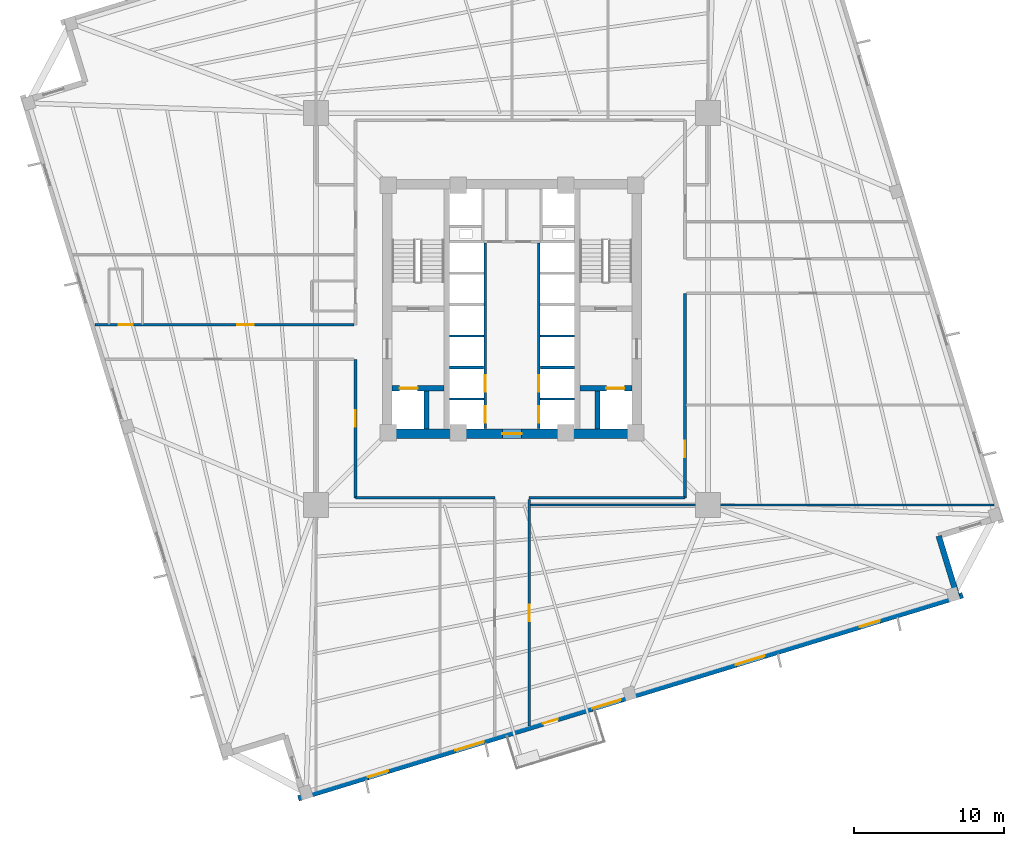
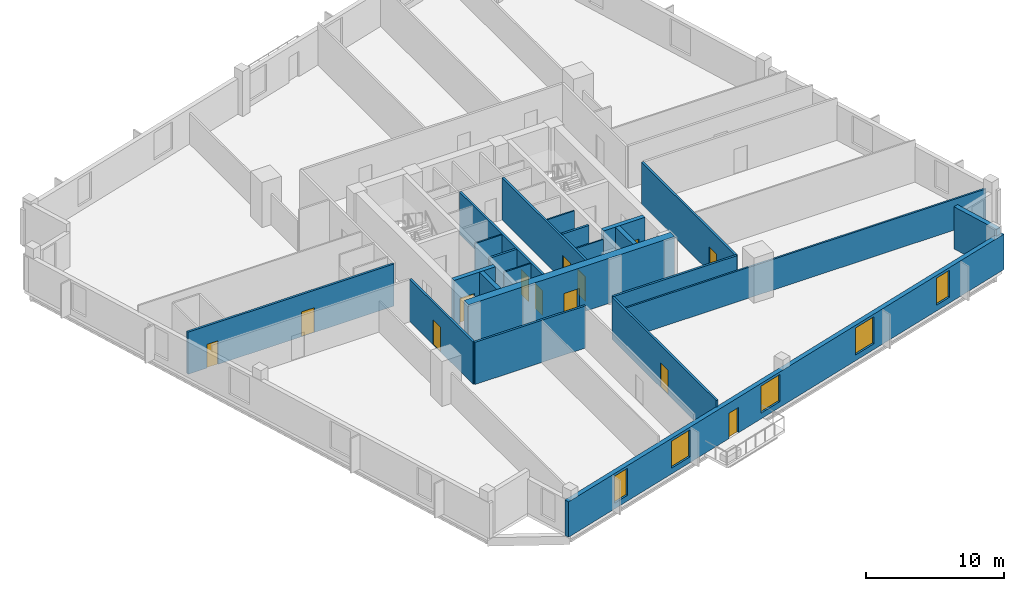
# One storey, part 3 of 9: 22 walls, 13 doors, 5 windows, 18 openings.
"""IFC4 building model written with IfcOpenShell, lengths in metres."""

from ifc_helpers import new_model, si_unit, direction, frame, frame_2d, origin, place, context, subcontext, project, spatial, rectangle, extrude, source, transform, mapped, material, layer, layer_set, type_object, element, fill, save


model = new_model("IFC4")

# Units and contexts
model_context = context("Model", 3, precision=1e-05, world=origin(), true_north=direction((0.0, 1.0)))
body_context = subcontext(model_context, "Body", "Model", "MODEL_VIEW")
ifc_project = project(units=[si_unit("LENGTHUNIT", "METRE"), si_unit("AREAUNIT", "SQUARE_METRE"), si_unit("VOLUMEUNIT", "CUBIC_METRE"), si_unit("PLANEANGLEUNIT", "RADIAN"), si_unit("MASSUNIT", "GRAM", prefix="KILO"), si_unit("THERMODYNAMICTEMPERATUREUNIT", "KELVIN")], contexts=[model_context])

# Site, building, storey
site_placement = place(None, origin())
site = spatial("IfcSite", under=ifc_project, at=site_placement, CompositionType="ELEMENT")
building_placement = place(site_placement, origin())
building = spatial("IfcBuilding", under=site, at=building_placement, Name="Kosmvard Interchange Tower", CompositionType="ELEMENT")
storey_placement = place(building_placement, frame((0.0, 0.0, 127.199951171875)))
storey = spatial("IfcBuildingStorey", under=building, at=storey_placement, Name="L30", CompositionType="ELEMENT", Elevation=127.199951171875)

# Wall
ifc_material_1 = material(Name="Acoustic gypsum partition system")
ifc_layer_1 = layer(ifc_material_1, 0.14990234375, Name="Acoustic gypsum partition system")
ifc_layer_set_1 = layer_set([ifc_layer_1], Name="Acoustic gypsum partition system")
wall_type_1 = type_object("IfcWallType", Name="Acoustic Suite & Meeting Partition 150", PredefinedType="PARTITIONING", material=ifc_layer_set_1)
wall_1_placement = place(storey_placement, frame((1.2451171875, -13.0810546875, 0.0), z_axis=(0.0, 0.0, 1.0), x_axis=(1.0, 0.0, 0.0)))
element("IfcWall", 1, at=wall_1_placement, inside=storey, type_object=wall_type_1, Name="L30 Room Partition 09.1", PredefinedType="PARTITIONING", context=body_context, shape_type="SweptSolid", body=[
    extrude(rectangle(XDim=30.919921875, YDim=0.14990234375, at=frame_2d((15.4599609375, 0.0))), origin(), (0.0, 0.0, 1.0), 2.73193359375),
])

# Wall, openings, doors
ifc_material_2 = material(Name="Fire-rated gypsum partition system")
ifc_layer_2 = layer(ifc_material_2, 0.179931640625, Name="Fire-rated gypsum partition system")
ifc_layer_set_2 = layer_set([ifc_layer_2], Name="Fire-rated gypsum partition system")
wall_type_2 = type_object("IfcWallType", Name="Corridor & Hotel Compartment Partition 180", PredefinedType="PARTITIONING", material=ifc_layer_set_2)
wall_2_placement = place(storey_placement, frame((-1.7900390625, -7.97998046875, 0.0), z_axis=(0.0, 0.0, 1.0), x_axis=(0.0, 1.0, 0.0)))
wall_2 = element("IfcWall", 2, at=wall_2_placement, inside=storey, type_object=wall_type_2, Name="L30 West Lift Bank Front Wall", PredefinedType="PARTITIONING", context=body_context, shape_type="SweptSolid", body=[
    extrude(rectangle(XDim=12.3798828125, YDim=0.179931640625, at=frame_2d((6.18994140625, 0.0))), origin(), (0.0, 0.0, 1.0), 3.739990234375),
])
opening_1_placement = place(wall_2_placement, frame((0.39990234375, 0.0, 0.0)))
opening_1 = element("IfcOpeningElement", 3, at=opening_1_placement, cuts=wall_2, Name="Opening LD-PL-L1-L30", PredefinedType="OPENING", context=body_context, shape_type="SweptSolid", body=[
    extrude(rectangle(XDim=1.10009765625, YDim=2.199951171875, at=frame_2d((0.550048828125, 1.10009765625))), frame((0.0, 0.10009765625, 0.0), z_axis=(0.0, -1.0, 0.0), x_axis=(1.0, 0.0, 0.0)), (0.0, 0.0, 1.0), 0.199951171875),
])
opening_2_placement = place(wall_2_placement, frame((2.4599609375, 0.0, 0.0)))
opening_2 = element("IfcOpeningElement", 4, at=opening_2_placement, cuts=wall_2, Name="Opening LD-PL-L2-L30", PredefinedType="OPENING", context=body_context, shape_type="SweptSolid", body=[
    extrude(rectangle(XDim=1.10009765625, YDim=2.199951171875, at=frame_2d((0.550048828125, 1.10009765625))), frame((0.0, 0.10009765625, 0.0), z_axis=(0.0, -1.0, 0.0), x_axis=(1.0, 0.0, 0.0)), (0.0, 0.0, 1.0), 0.199951171875),
])
ifc_material_3 = material(Name="Brushed stainless steel sliding leaf", Category="steel")
door_type_1 = type_object("IfcDoorType", Name="Passenger Lift Sliding Landing Door 1100x2200 EI60", OperationType="DOUBLE_DOOR_SLIDING", PredefinedType="DOOR", material=ifc_material_3)
shared_shape_1 = source(origin(), body_context, "Body", "SweptSolid", [
    extrude(rectangle(XDim=1.10009765625, YDim=2.199951171875, at=frame_2d((0.550048828125, 1.10009765625))), frame((0.0, 0.02490234375, 0.0), z_axis=(0.0, -1.0, 0.0), x_axis=(1.0, 0.0, 0.0)), (0.0, 0.0, 1.0), 0.050048828125),
])
door_1_placement = place(opening_1_placement, frame((1.10009765625, 0.0, 0.0), z_axis=(0.0, 0.0, 1.0), x_axis=(-1.0, 0.0, 0.0)))
door_1 = element("IfcDoor", 5, at=door_1_placement, inside=storey, type_object=door_type_1, Name="Lift PL-L1 Landing Door L30", OperationType="DOUBLE_DOOR_SLIDING", OverallHeight=2.199951171875, OverallWidth=1.10009765625, PredefinedType="DOOR", context=body_context, shape_type="MappedRepresentation", body=[
    mapped(shared_shape_1, transform((0.0, 0.0, 0.0), scale=1.0)),
])
fill(opening_1, door_1)
door_2_placement = place(opening_2_placement, frame((1.10009765625, 0.0, 0.0), z_axis=(0.0, 0.0, 1.0), x_axis=(-1.0, 0.0, 0.0)))
door_2 = element("IfcDoor", 6, at=door_2_placement, inside=storey, type_object=door_type_1, Name="Lift PL-L2 Landing Door L30", OperationType="DOUBLE_DOOR_SLIDING", OverallHeight=2.199951171875, OverallWidth=1.10009765625, PredefinedType="DOOR", context=body_context, shape_type="MappedRepresentation", body=[
    mapped(shared_shape_1, transform((0.0, 0.0, 0.0), scale=1.0)),
])
fill(opening_2, door_2)

wall_3_placement = place(storey_placement, frame((1.7900390625, -7.97998046875, 0.0), z_axis=(0.0, 0.0, 1.0), x_axis=(0.0, 1.0, 0.0)))
wall_3 = element("IfcWall", 7, at=wall_3_placement, inside=storey, type_object=wall_type_2, Name="L30 East Lift Bank Front Wall", PredefinedType="PARTITIONING", context=body_context, shape_type="SweptSolid", body=[
    extrude(rectangle(XDim=12.3798828125, YDim=0.179931640625, at=frame_2d((6.18994140625, 0.0))), origin(), (0.0, 0.0, 1.0), 3.739990234375),
])
opening_3_placement = place(wall_3_placement, frame((0.39990234375, 0.0, 0.0)))
opening_3 = element("IfcOpeningElement", 8, at=opening_3_placement, cuts=wall_3, Name="Opening LD-PL-L3-L30", PredefinedType="OPENING", context=body_context, shape_type="SweptSolid", body=[
    extrude(rectangle(XDim=1.10009765625, YDim=2.199951171875, at=frame_2d((0.550048828125, 1.10009765625))), frame((0.0, 0.10009765625, 0.0), z_axis=(0.0, -1.0, 0.0), x_axis=(1.0, 0.0, 0.0)), (0.0, 0.0, 1.0), 0.199951171875),
])
opening_4_placement = place(wall_3_placement, frame((2.4599609375, 0.0, 0.0)))
opening_4 = element("IfcOpeningElement", 9, at=opening_4_placement, cuts=wall_3, Name="Opening LD-PL-L4-L30", PredefinedType="OPENING", context=body_context, shape_type="SweptSolid", body=[
    extrude(rectangle(XDim=1.10009765625, YDim=2.199951171875, at=frame_2d((0.550048828125, 1.10009765625))), frame((0.0, 0.10009765625, 0.0), z_axis=(0.0, -1.0, 0.0), x_axis=(1.0, 0.0, 0.0)), (0.0, 0.0, 1.0), 0.199951171875),
])
door_3_placement = place(opening_3_placement, origin())
door_3 = element("IfcDoor", 10, at=door_3_placement, inside=storey, type_object=door_type_1, Name="Lift PL-L3 Landing Door L30", OperationType="DOUBLE_DOOR_SLIDING", OverallHeight=2.199951171875, OverallWidth=1.10009765625, PredefinedType="DOOR", context=body_context, shape_type="MappedRepresentation", body=[
    mapped(shared_shape_1, transform((0.0, 0.0, 0.0), scale=1.0)),
])
fill(opening_3, door_3)
door_4_placement = place(opening_4_placement, origin())
door_4 = element("IfcDoor", 11, at=door_4_placement, inside=storey, type_object=door_type_1, Name="Lift PL-L4 Landing Door L30", OperationType="DOUBLE_DOOR_SLIDING", OverallHeight=2.199951171875, OverallWidth=1.10009765625, PredefinedType="DOOR", context=body_context, shape_type="MappedRepresentation", body=[
    mapped(shared_shape_1, transform((0.0, 0.0, 0.0), scale=1.0)),
])
fill(opening_4, door_4)

# Walls
wall_4_placement = place(storey_placement, frame((-10.449951171875, -12.60009765625, 0.0), z_axis=(0.0, 0.0, 1.0), x_axis=(1.0, 0.0, 0.0)))
element("IfcWall", 12, at=wall_4_placement, inside=storey, type_object=wall_type_2, Name="L30 Corridor Wall CSW", PredefinedType="PARTITIONING", context=body_context, shape_type="SweptSolid", body=[
    extrude(rectangle(XDim=9.300048828125, YDim=0.179931640625, at=frame_2d((4.64990234375, 0.0))), origin(), (0.0, 0.0, 1.0), 3.739990234375),
])
wall_5_placement = place(storey_placement, frame((1.14990234375, -12.60009765625, 0.0), z_axis=(0.0, 0.0, 1.0), x_axis=(1.0, 0.0, 0.0)))
element("IfcWall", 13, at=wall_5_placement, inside=storey, type_object=wall_type_2, Name="L30 Corridor Wall CSE", PredefinedType="PARTITIONING", context=body_context, shape_type="SweptSolid", body=[
    extrude(rectangle(XDim=10.400146484375, YDim=0.179931640625, at=frame_2d((5.2001953125, 0.0))), origin(), (0.0, 0.0, 1.0), 3.739990234375),
])

# Wall, opening, door
wall_6_placement = place(storey_placement, frame((-10.449951171875, -12.60009765625, 0.0), z_axis=(0.0, 0.0, 1.0), x_axis=(0.0, 1.0, 0.0)))
wall_6 = element("IfcWall", 14, at=wall_6_placement, inside=storey, type_object=wall_type_2, Name="L30 Corridor Wall CWS", PredefinedType="PARTITIONING", context=body_context, shape_type="SweptSolid", body=[
    extrude(rectangle(XDim=9.25, YDim=0.179931640625, at=frame_2d((4.625, 0.0))), origin(), (0.0, 0.0, 1.0), 3.739990234375),
])
opening_5_placement = place(wall_6_placement, frame((4.735107421875, 0.0, 0.0)))
opening_5 = element("IfcOpeningElement", 15, at=opening_5_placement, cuts=wall_6, Name="Opening L30-D14", PredefinedType="OPENING", context=body_context, shape_type="SweptSolid", body=[
    extrude(rectangle(XDim=1.10009765625, YDim=2.199951171875, at=frame_2d((0.550048828125, 1.10009765625))), frame((0.0, 0.10009765625, 0.0), z_axis=(0.0, -1.0, 0.0), x_axis=(1.0, 0.0, 0.0)), (0.0, 0.0, 1.0), 0.199951171875),
])
ifc_material_4 = material(Name="Engineered oak fire-rated timber", Category="wood")
door_type_2 = type_object("IfcDoorType", Name="Office Suite Entrance Door 1100x2200 FD30S", OperationType="NOTDEFINED", PredefinedType="DOOR", material=ifc_material_4)
door_5_placement = place(opening_5_placement, origin())
door_5 = element("IfcDoor", 16, at=door_5_placement, inside=storey, type_object=door_type_2, Name="L30 Staff Pantry Door", OperationType="SINGLE_SWING_RIGHT", OverallHeight=2.199951171875, OverallWidth=1.10009765625, PredefinedType="DOOR", context=body_context, shape_type="MappedRepresentation", body=[
    mapped(shared_shape_1, transform((0.0, 0.0, 0.0), scale=1.0)),
])
fill(opening_5, door_5)

wall_7_placement = place(storey_placement, frame((11.550048828125, -12.60009765625, 0.0), z_axis=(0.0, 0.0, 1.0), x_axis=(0.0, 1.0, 0.0)))
wall_7 = element("IfcWall", 17, at=wall_7_placement, inside=storey, type_object=wall_type_2, Name="L30 Corridor Wall CES", PredefinedType="PARTITIONING", context=body_context, shape_type="SweptSolid", body=[
    extrude(rectangle(XDim=13.650146484375, YDim=0.179931640625, at=frame_2d((6.8251953125, 0.0))), origin(), (0.0, 0.0, 1.0), 3.739990234375),
])
opening_6_placement = place(wall_7_placement, frame((2.71435546875, 0.0, 0.0)))
opening_6 = element("IfcOpeningElement", 18, at=opening_6_placement, cuts=wall_7, Name="Opening L30-D11", PredefinedType="OPENING", context=body_context, shape_type="SweptSolid", body=[
    extrude(rectangle(XDim=1.10009765625, YDim=2.199951171875, at=frame_2d((0.550048828125, 1.10009765625))), frame((0.0, 0.10009765625, 0.0), z_axis=(0.0, -1.0, 0.0), x_axis=(1.0, 0.0, 0.0)), (0.0, 0.0, 1.0), 0.199951171875),
])
door_6_placement = place(opening_6_placement, frame((1.10009765625, 0.0, 0.0), z_axis=(0.0, 0.0, 1.0), x_axis=(-1.0, 0.0, 0.0)))
door_6 = element("IfcDoor", 19, at=door_6_placement, inside=storey, type_object=door_type_2, Name="L30 East Hearing Room 4 Door", OperationType="SINGLE_SWING_LEFT", OverallHeight=2.199951171875, OverallWidth=1.10009765625, PredefinedType="DOOR", context=body_context, shape_type="MappedRepresentation", body=[
    mapped(shared_shape_1, transform((0.0, 0.0, 0.0), scale=1.0)),
])
fill(opening_6, door_6)

# Wall, openings, doors
wall_8_placement = place(storey_placement, frame((-27.8447265625, -1.050048828125, 0.0), z_axis=(0.0, 0.0, 1.0), x_axis=(1.0, 0.0, 0.0)))
wall_8 = element("IfcWall", 20, at=wall_8_placement, inside=storey, type_object=wall_type_2, Name="L30 Corridor Wall SWN", PredefinedType="PARTITIONING", context=body_context, shape_type="SweptSolid", body=[
    extrude(rectangle(XDim=17.294677734375, YDim=0.179931640625, at=frame_2d((8.6474609375, 0.0))), origin(), (0.0, 0.0, 1.0), 3.739990234375),
])
opening_7_placement = place(wall_8_placement, frame((1.580078125, 0.0, 0.0)))
opening_7 = element("IfcOpeningElement", 21, at=opening_7_placement, cuts=wall_8, Name="Opening L30-D02", PredefinedType="OPENING", context=body_context, shape_type="SweptSolid", body=[
    extrude(rectangle(XDim=0.949951171875, YDim=2.10009765625, at=frame_2d((0.47509765625, 1.050048828125))), frame((0.0, 0.10009765625, 0.0), z_axis=(0.0, -1.0, 0.0), x_axis=(1.0, 0.0, 0.0)), (0.0, 0.0, 1.0), 0.199951171875),
])
opening_8_placement = place(wall_8_placement, frame((9.516845703125, 0.0, 0.0)))
opening_8 = element("IfcOpeningElement", 22, at=opening_8_placement, cuts=wall_8, Name="Opening L30-D03", PredefinedType="OPENING", context=body_context, shape_type="SweptSolid", body=[
    extrude(rectangle(XDim=1.10009765625, YDim=2.199951171875, at=frame_2d((0.550048828125, 1.10009765625))), frame((0.0, 0.10009765625, 0.0), z_axis=(0.0, -1.0, 0.0), x_axis=(1.0, 0.0, 0.0)), (0.0, 0.0, 1.0), 0.199951171875),
])
ifc_material_5 = material(Name="Laminated moisture-resistant timber", Category="wood")
door_type_3 = type_object("IfcDoorType", Name="Accessible Washroom Door 950x2100", OperationType="NOTDEFINED", PredefinedType="DOOR", material=ifc_material_5)
shared_shape_2 = source(origin(), body_context, "Body", "SweptSolid", [
    extrude(rectangle(XDim=0.949951171875, YDim=2.10009765625, at=frame_2d((0.47509765625, 1.050048828125))), frame((0.0, 0.02490234375, 0.0), z_axis=(0.0, -1.0, 0.0), x_axis=(1.0, 0.0, 0.0)), (0.0, 0.0, 1.0), 0.050048828125),
])
door_7_placement = place(opening_7_placement, origin())
door_7 = element("IfcDoor", 23, at=door_7_placement, inside=storey, type_object=door_type_3, Name="L30 Public Floor Washroom Door", OperationType="SINGLE_SWING_RIGHT", OverallHeight=2.10009765625, OverallWidth=0.949951171875, PredefinedType="DOOR", context=body_context, shape_type="MappedRepresentation", body=[
    mapped(shared_shape_2, transform((0.0, 0.0, 0.0), scale=1.0)),
])
fill(opening_7, door_7)
door_8_placement = place(opening_8_placement, origin())
door_8 = element("IfcDoor", 24, at=door_8_placement, inside=storey, type_object=door_type_2, Name="L30 IT Staging Store Door", OperationType="SINGLE_SWING_LEFT", OverallHeight=2.199951171875, OverallWidth=1.10009765625, PredefinedType="DOOR", context=body_context, shape_type="MappedRepresentation", body=[
    mapped(shared_shape_1, transform((0.0, 0.0, 0.0), scale=1.0)),
])
fill(opening_8, door_8)

# Wall, opening, door
wall_9_placement = place(storey_placement, frame((1.14990234375, -27.814208984375, 0.0), z_axis=(0.0, 0.0, 1.0), x_axis=(0.0, 1.0, 0.0)))
wall_9 = element("IfcWall", 25, at=wall_9_placement, inside=storey, type_object=wall_type_2, Name="L30 Corridor Wall SSE", PredefinedType="PARTITIONING", context=body_context, shape_type="SweptSolid", body=[
    extrude(rectangle(XDim=15.1142578125, YDim=0.179931640625, at=frame_2d((7.55712890625, 0.0))), origin(), (0.0, 0.0, 1.0), 3.739990234375),
])
opening_9_placement = place(wall_9_placement, frame((6.98095703125, 0.0, 0.0)))
opening_9 = element("IfcOpeningElement", 26, at=opening_9_placement, cuts=wall_9, Name="Opening L30-D12", PredefinedType="OPENING", context=body_context, shape_type="SweptSolid", body=[
    extrude(rectangle(XDim=1.10009765625, YDim=2.199951171875, at=frame_2d((0.550048828125, 1.10009765625))), frame((0.0, 0.10009765625, 0.0), z_axis=(0.0, -1.0, 0.0), x_axis=(1.0, 0.0, 0.0)), (0.0, 0.0, 1.0), 0.199951171875),
])
door_9_placement = place(opening_9_placement, frame((1.10009765625, 0.0, 0.0), z_axis=(0.0, 0.0, 1.0), x_axis=(-1.0, 0.0, 0.0)))
door_9 = element("IfcDoor", 27, at=door_9_placement, inside=storey, type_object=door_type_2, Name="L30 South-East Boardroom 5 Door", OperationType="SINGLE_SWING_RIGHT", OverallHeight=2.199951171875, OverallWidth=1.10009765625, PredefinedType="DOOR", context=body_context, shape_type="MappedRepresentation", body=[
    mapped(shared_shape_1, transform((0.0, 0.0, 0.0), scale=1.0)),
])
fill(opening_9, door_9)

# Wall, openings, door, windows
ifc_material_6 = material(Name="Precast concrete C45/55", Category="concrete")
ifc_layer_3 = layer(ifc_material_6, 0.3798828125, Name="Precast concrete C45/55")
ifc_layer_set_3 = layer_set([ifc_layer_3], Name="Precast concrete C45/55")
wall_type_3 = type_object("IfcWallType", Name="Lower Tower Precast Pier Wall 380 C45/55", PredefinedType="STANDARD", material=ifc_layer_set_3)
wall_10_placement = place(storey_placement, frame((-14.26513671875, -32.65771484375, 0.0), z_axis=(0.0, 0.0, 1.0), x_axis=(0.956304320851, 0.292373127906, 0.0)))
wall_10 = element("IfcWall", 28, at=wall_10_placement, inside=storey, type_object=wall_type_3, Name="L30 Precast Facade Wall F-S", PredefinedType="STANDARD", context=body_context, shape_type="SweptSolid", body=[
    extrude(rectangle(XDim=46.380126953125, YDim=0.3798828125, at=frame_2d((23.18994140625, 0.0))), origin(), (0.0, 0.0, 1.0), 3.14013671875),
])
opening_10_placement = place(wall_10_placement, frame((17.06494140625, 0.0, 0.0)))
opening_10 = element("IfcOpeningElement", 29, at=opening_10_placement, cuts=wall_10, Name="Opening L30-BDS", PredefinedType="OPENING", context=body_context, shape_type="SweptSolid", body=[
    extrude(rectangle(XDim=1.050048828125, YDim=2.25, at=frame_2d((0.52490234375, 1.125))), frame((0.0, 0.199951171875, 0.0), z_axis=(0.0, -1.0, 0.0), x_axis=(1.0, 0.0, 0.0)), (0.0, 0.0, 1.0), 0.39990234375),
])
opening_11_placement = place(wall_10_placement, frame((4.865478515625, 0.0, 0.510009765625)))
opening_11 = element("IfcOpeningElement", 30, at=opening_11_placement, cuts=wall_10, Name="Opening L30-W01", PredefinedType="OPENING", context=body_context, shape_type="SweptSolid", body=[
    extrude(rectangle(XDim=1.39990234375, YDim=2.39990234375, at=frame_2d((0.699951171875, 1.199951171875))), frame((0.0, 0.199951171875, 0.0), z_axis=(0.0, -1.0, 0.0), x_axis=(1.0, 0.0, 0.0)), (0.0, 0.0, 1.0), 0.39990234375),
])
opening_12_placement = place(wall_10_placement, frame((10.9501953125, 0.0, 0.510009765625)))
opening_12 = element("IfcOpeningElement", 31, at=opening_12_placement, cuts=wall_10, Name="Opening L30-W02", PredefinedType="OPENING", context=body_context, shape_type="SweptSolid", body=[
    extrude(rectangle(XDim=2.0, YDim=2.39990234375, at=frame_2d((1.0, 1.199951171875))), frame((0.0, 0.199951171875, 0.0), z_axis=(0.0, -1.0, 0.0), x_axis=(1.0, 0.0, 0.0)), (0.0, 0.0, 1.0), 0.39990234375),
])
opening_13_placement = place(wall_10_placement, frame((20.512451171875, 0.0, 0.510009765625)))
opening_13 = element("IfcOpeningElement", 32, at=opening_13_placement, cuts=wall_10, Name="Opening L30-W03", PredefinedType="OPENING", context=body_context, shape_type="SweptSolid", body=[
    extrude(rectangle(XDim=2.0, YDim=2.39990234375, at=frame_2d((1.0, 1.199951171875))), frame((0.0, 0.199951171875, 0.0), z_axis=(0.0, -1.0, 0.0), x_axis=(1.0, 0.0, 0.0)), (0.0, 0.0, 1.0), 0.39990234375),
])
opening_14_placement = place(wall_10_placement, frame((30.538330078125, 0.0, 0.510009765625)))
opening_14 = element("IfcOpeningElement", 33, at=opening_14_placement, cuts=wall_10, Name="Opening L30-W04", PredefinedType="OPENING", context=body_context, shape_type="SweptSolid", body=[
    extrude(rectangle(XDim=2.0, YDim=2.39990234375, at=frame_2d((1.0, 1.199951171875))), frame((0.0, 0.199951171875, 0.0), z_axis=(0.0, -1.0, 0.0), x_axis=(1.0, 0.0, 0.0)), (0.0, 0.0, 1.0), 0.39990234375),
])
opening_15_placement = place(wall_10_placement, frame((39.186767578125, 0.0, 0.510009765625)))
opening_15 = element("IfcOpeningElement", 34, at=opening_15_placement, cuts=wall_10, Name="Opening L30-W05", PredefinedType="OPENING", context=body_context, shape_type="SweptSolid", body=[
    extrude(rectangle(XDim=1.39990234375, YDim=2.39990234375, at=frame_2d((0.699951171875, 1.199951171875))), frame((0.0, 0.199951171875, 0.0), z_axis=(0.0, -1.0, 0.0), x_axis=(1.0, 0.0, 0.0)), (0.0, 0.0, 1.0), 0.39990234375),
])
ifc_material_7 = material(Name="Anodised aluminium and safety glass", Category="aluminium")
door_type_4 = type_object("IfcDoorType", Name="Tree-Balcony Glazed Door 1050x2250", OperationType="NOTDEFINED", PredefinedType="DOOR", material=ifc_material_7)
shared_shape_3 = source(origin(), body_context, "Body", "SweptSolid", [
    extrude(rectangle(XDim=1.050048828125, YDim=2.25, at=frame_2d((0.52490234375, 1.125))), frame((0.0, 0.02490234375, 0.0), z_axis=(0.0, -1.0, 0.0), x_axis=(1.0, 0.0, 0.0)), (0.0, 0.0, 1.0), 0.050048828125),
])
door_10_placement = place(opening_10_placement, origin())
door_10 = element("IfcDoor", 35, at=door_10_placement, inside=storey, type_object=door_type_4, Name="L30 Tree-Balcony Door BAL-L30-S", OperationType="SINGLE_SWING_LEFT", OverallHeight=2.25, OverallWidth=1.050048828125, PredefinedType="DOOR", context=body_context, shape_type="MappedRepresentation", body=[
    mapped(shared_shape_3, transform((0.0, 0.0, 0.0), scale=1.0)),
])
fill(opening_10, door_10)
ifc_material_8 = material(Name="Low-E solar-control double glazing", Category="glass")
window_type_1 = type_object("IfcWindowType", Name="Notched Corner Feature Window 1400x2400", PartitioningType="SINGLE_PANEL", PredefinedType="WINDOW", material=ifc_material_8)
shared_shape_4 = source(origin(), body_context, "Body", "SweptSolid", [
    extrude(rectangle(XDim=1.39990234375, YDim=2.39990234375, at=frame_2d((0.699951171875, 1.199951171875))), frame((0.0, 0.030029296875, 0.0), z_axis=(0.0, -1.0, 0.0), x_axis=(1.0, 0.0, 0.0)), (0.0, 0.0, 1.0), 0.06005859375),
])
window_1_placement = place(opening_11_placement, origin())
window_1 = element("IfcWindow", 36, at=window_1_placement, inside=storey, type_object=window_type_1, Name="L30 Facade Punched Window 01", OverallHeight=2.39990234375, OverallWidth=1.39990234375, PartitioningType="SINGLE_PANEL", PredefinedType="WINDOW", context=body_context, shape_type="MappedRepresentation", body=[
    mapped(shared_shape_4, transform((0.0, 0.0, 0.0), scale=1.0)),
])
fill(opening_11, window_1)
window_2_placement = place(opening_15_placement, origin())
window_2 = element("IfcWindow", 37, at=window_2_placement, inside=storey, type_object=window_type_1, Name="L30 Facade Punched Window 05", OverallHeight=2.39990234375, OverallWidth=1.39990234375, PartitioningType="SINGLE_PANEL", PredefinedType="WINDOW", context=body_context, shape_type="MappedRepresentation", body=[
    mapped(shared_shape_4, transform((0.0, 0.0, 0.0), scale=1.0)),
])
fill(opening_15, window_2)
window_type_2 = type_object("IfcWindowType", Name="Zone 2 Office Punched Window 2000x2400", PartitioningType="SINGLE_PANEL", PredefinedType="WINDOW", material=ifc_material_8)
shared_shape_5 = source(origin(), body_context, "Body", "SweptSolid", [
    extrude(rectangle(XDim=2.0, YDim=2.39990234375, at=frame_2d((1.0, 1.199951171875))), frame((0.0, 0.030029296875, 0.0), z_axis=(0.0, -1.0, 0.0), x_axis=(1.0, 0.0, 0.0)), (0.0, 0.0, 1.0), 0.06005859375),
])
window_3_placement = place(opening_12_placement, origin())
window_3 = element("IfcWindow", 38, at=window_3_placement, inside=storey, type_object=window_type_2, Name="L30 Facade Punched Window 02", OverallHeight=2.39990234375, OverallWidth=2.0, PartitioningType="SINGLE_PANEL", PredefinedType="WINDOW", context=body_context, shape_type="MappedRepresentation", body=[
    mapped(shared_shape_5, transform((0.0, 0.0, 0.0), scale=1.0)),
])
fill(opening_12, window_3)
window_4_placement = place(opening_13_placement, origin())
window_4 = element("IfcWindow", 39, at=window_4_placement, inside=storey, type_object=window_type_2, Name="L30 Facade Punched Window 03", OverallHeight=2.39990234375, OverallWidth=2.0, PartitioningType="SINGLE_PANEL", PredefinedType="WINDOW", context=body_context, shape_type="MappedRepresentation", body=[
    mapped(shared_shape_5, transform((0.0, 0.0, 0.0), scale=1.0)),
])
fill(opening_13, window_4)
window_5_placement = place(opening_14_placement, origin())
window_5 = element("IfcWindow", 40, at=window_5_placement, inside=storey, type_object=window_type_2, Name="L30 Facade Punched Window 04", OverallHeight=2.39990234375, OverallWidth=2.0, PartitioningType="SINGLE_PANEL", PredefinedType="WINDOW", context=body_context, shape_type="MappedRepresentation", body=[
    mapped(shared_shape_5, transform((0.0, 0.0, 0.0), scale=1.0)),
])
fill(opening_14, window_5)

# Wall
wall_11_placement = place(storey_placement, frame((29.724853515625, -19.20849609375, 0.0), z_axis=(0.0, 0.0, 1.0), x_axis=(-0.292345507338, 0.956312764915, 0.0)))
element("IfcWall", 41, at=wall_11_placement, inside=storey, type_object=wall_type_3, Name="L30 Precast Facade Wall N-SE1", PredefinedType="STANDARD", context=body_context, shape_type="SweptSolid", body=[
    extrude(rectangle(XDim=4.249755859375, YDim=0.3798828125, at=frame_2d((2.125, 0.0))), origin(), (0.0, 0.0, 1.0), 3.739990234375),
])

# Wall, opening, door
ifc_material_9 = material(Name="Concrete C70/85", Category="concrete")
ifc_layer_4 = layer(ifc_material_9, 0.64990234375, Name="Concrete C70/85")
ifc_layer_set_4 = layer_set([ifc_layer_4], Name="Concrete C70/85")
wall_type_4 = type_object("IfcWallType", Name="Mid Core Shear Wall 650 C70/85", PredefinedType="SHEAR", material=ifc_layer_set_4)
wall_12_placement = place(storey_placement, frame((-8.64990234375, -8.324951171875, 0.0), z_axis=(0.0, 0.0, 1.0), x_axis=(1.0, 0.0, 0.0)))
wall_12 = element("IfcWall", 42, at=wall_12_placement, inside=storey, type_object=wall_type_4, Name="L30 Core Shear Wall CW-S", PredefinedType="SHEAR", context=body_context, shape_type="SweptSolid", body=[
    extrude(rectangle(XDim=17.2998046875, YDim=0.64990234375, at=frame_2d((8.64990234375, 0.0))), origin(), (0.0, 0.0, 1.0), 4.0),
])
opening_16_placement = place(wall_12_placement, frame((8.0, 0.0, 0.0)))
opening_16 = element("IfcOpeningElement", 43, at=opening_16_placement, cuts=wall_12, Name="Opening L30-LD0", PredefinedType="OPENING", context=body_context, shape_type="SweptSolid", body=[
    extrude(rectangle(XDim=1.300048828125, YDim=2.199951171875, at=frame_2d((0.64990234375, 1.10009765625))), frame((0.0, 0.3349609375, 0.0), z_axis=(0.0, -1.0, 0.0), x_axis=(1.0, 0.0, 0.0)), (0.0, 0.0, 1.0), 0.669921875),
])
ifc_material_10 = material(Name="Painted fire-rated steel leaf", Category="steel")
door_type_5 = type_object("IfcDoorType", Name="Firefighting Lobby Door 1300x2200 EI60", OperationType="NOTDEFINED", PredefinedType="DOOR", material=ifc_material_10)
shared_shape_6 = source(origin(), body_context, "Body", "SweptSolid", [
    extrude(rectangle(XDim=1.300048828125, YDim=2.199951171875, at=frame_2d((0.64990234375, 1.10009765625))), frame((0.0, 0.02490234375, 0.0), z_axis=(0.0, -1.0, 0.0), x_axis=(1.0, 0.0, 0.0)), (0.0, 0.0, 1.0), 0.050048828125),
])
door_11_placement = place(opening_16_placement, frame((1.300048828125, 0.0, 0.0), z_axis=(0.0, 0.0, 1.0), x_axis=(-1.0, 0.0, 0.0)))
door_11 = element("IfcDoor", 44, at=door_11_placement, inside=storey, type_object=door_type_5, Name="L30 Passenger Lift Lobby South Door", OperationType="SINGLE_SWING_LEFT", OverallHeight=2.199951171875, OverallWidth=1.300048828125, PredefinedType="DOOR", context=body_context, shape_type="MappedRepresentation", body=[
    mapped(shared_shape_6, transform((0.0, 0.0, 0.0), scale=1.0)),
])
fill(opening_16, door_11)

# Walls
ifc_material_11 = material(Name="Concrete blockwork masonry", Category="masonry")
ifc_layer_5 = layer(ifc_material_11, 0.179931640625, Name="Concrete blockwork masonry")
ifc_layer_set_5 = layer_set([ifc_layer_5], Name="Concrete blockwork masonry")
wall_type_5 = type_object("IfcWallType", Name="Riser & Lift Bank Divider Wall 180", PredefinedType="PARTITIONING", material=ifc_layer_set_5)
for number, where, z_axis, x_axis, name in (
    (45, (-4.169921875, -3.89990234375, 0.0), (0.0, 0.0, 1.0), (1.0, 0.0, 0.0), "L30 West Bank Divider BD1"),
    (46, (1.889892578125, -3.89990234375, 0.0), (0.0, 0.0, 1.0), (1.0, 0.0, 0.0), "L30 East Bank Divider BD1"),
):
    element("IfcWall", number, at=place(storey_placement, frame(where, z_axis=z_axis, x_axis=x_axis)), inside=storey, type_object=wall_type_5, Name=name, PredefinedType="PARTITIONING", context=body_context, shape_type="SweptSolid", body=[
        extrude(rectangle(XDim=2.280029296875, YDim=0.179931640625, at=frame_2d((1.14013671875, 0.0))), origin(), (0.0, 0.0, 1.0), 3.739990234375),
    ])
ifc_material_12 = material(Name="Fire-rated gypsum shaftwall system")
ifc_layer_6 = layer(ifc_material_12, 0.1201171875, Name="Fire-rated gypsum shaftwall system")
ifc_layer_set_6 = layer_set([ifc_layer_6], Name="Fire-rated gypsum shaftwall system")
wall_type_6 = type_object("IfcWallType", Name="Shaft & Riser Fire Partition 120 EI60", PredefinedType="PARTITIONING", material=ifc_layer_set_6)
for number, where, z_axis, x_axis, name in (
    (47, (-4.159912109375, -6.0, 0.0), (0.0, 0.0, 1.0), (1.0, 0.0, 0.0), "L30 Shaft Divider PL-L1"),
    (48, (1.89990234375, -6.0, 0.0), (0.0, 0.0, 1.0), (1.0, 0.0, 0.0), "L30 Shaft Divider PL-L3"),
    (49, (-4.159912109375, -1.800048828125, 0.0), (0.0, 0.0, 1.0), (1.0, 0.0, 0.0), "L30 Shaft Divider PL-M1"),
    (50, (1.89990234375, -1.800048828125, 0.0), (0.0, 0.0, 1.0), (1.0, 0.0, 0.0), "L30 Shaft Divider PL-M3"),
):
    element("IfcWall", number, at=place(storey_placement, frame(where, z_axis=z_axis, x_axis=x_axis)), inside=storey, type_object=wall_type_6, Name=name, PredefinedType="PARTITIONING", context=body_context, shape_type="SweptSolid", body=[
        extrude(rectangle(XDim=2.260009765625, YDim=0.1201171875, at=frame_2d((1.1298828125, 0.0))), origin(), (0.0, 0.0, 1.0), 3.739990234375),
    ])

# Wall, opening, door
ifc_material_13 = material(Name="Concrete C60/75", Category="concrete")
ifc_layer_7 = layer(ifc_material_13, 0.360107421875, Name="Concrete C60/75")
ifc_layer_set_7 = layer_set([ifc_layer_7], Name="Concrete C60/75")
wall_type_7 = type_object("IfcWallType", Name="Stair & Lift Shaft Shear Wall 360 C60/75", PredefinedType="SHEAR", material=ifc_layer_set_7)
wall_13_placement = place(storey_placement, frame((-8.0, -5.280029296875, 0.0), z_axis=(0.0, 0.0, 1.0), x_axis=(1.0, 0.0, 0.0)))
wall_13 = element("IfcWall", 51, at=wall_13_placement, inside=storey, type_object=wall_type_7, Name="L30 Shaft Shear Wall SW-FF1", PredefinedType="SHEAR", context=body_context, shape_type="SweptSolid", body=[
    extrude(rectangle(XDim=3.4599609375, YDim=0.360107421875, at=frame_2d((1.72998046875, 0.0))), origin(), (0.0, 0.0, 1.0), 4.0),
])
opening_17_placement = place(wall_13_placement, frame((0.5, 0.0, 0.0)))
opening_17 = element("IfcOpeningElement", 52, at=opening_17_placement, cuts=wall_13, Name="Opening LD-FF-1-L30", PredefinedType="OPENING", context=body_context, shape_type="SweptSolid", body=[
    extrude(rectangle(XDim=1.199951171875, YDim=2.25, at=frame_2d((0.60009765625, 1.125))), frame((0.0, 0.18994140625, 0.0), z_axis=(0.0, -1.0, 0.0), x_axis=(1.0, 0.0, 0.0)), (0.0, 0.0, 1.0), 0.380126953125),
])
door_type_6 = type_object("IfcDoorType", Name="Firefighting Lift Sliding Landing Door 1200x2250 EI120", OperationType="DOUBLE_DOOR_SLIDING", PredefinedType="DOOR", material=ifc_material_3)
shared_shape_7 = source(origin(), body_context, "Body", "SweptSolid", [
    extrude(rectangle(XDim=1.199951171875, YDim=2.25, at=frame_2d((0.60009765625, 1.125))), frame((0.0, 0.02490234375, 0.0), z_axis=(0.0, -1.0, 0.0), x_axis=(1.0, 0.0, 0.0)), (0.0, 0.0, 1.0), 0.050048828125),
])
door_12_placement = place(opening_17_placement, origin())
door_12 = element("IfcDoor", 53, at=door_12_placement, inside=storey, type_object=door_type_6, Name="Lift FF-1 Landing Door L30", OperationType="DOUBLE_DOOR_SLIDING", OverallHeight=2.25, OverallWidth=1.199951171875, PredefinedType="DOOR", context=body_context, shape_type="MappedRepresentation", body=[
    mapped(shared_shape_7, transform((0.0, 0.0, 0.0), scale=1.0)),
])
fill(opening_17, door_12)

wall_14_placement = place(storey_placement, frame((4.5400390625, -5.280029296875, 0.0), z_axis=(0.0, 0.0, 1.0), x_axis=(1.0, 0.0, 0.0)))
wall_14 = element("IfcWall", 54, at=wall_14_placement, inside=storey, type_object=wall_type_7, Name="L30 Shaft Shear Wall SW-FF2", PredefinedType="SHEAR", context=body_context, shape_type="SweptSolid", body=[
    extrude(rectangle(XDim=3.4599609375, YDim=0.360107421875, at=frame_2d((1.72998046875, 0.0))), origin(), (0.0, 0.0, 1.0), 4.0),
])
opening_18_placement = place(wall_14_placement, frame((1.760009765625, 0.0, 0.0)))
opening_18 = element("IfcOpeningElement", 55, at=opening_18_placement, cuts=wall_14, Name="Opening LD-FF-2-L30", PredefinedType="OPENING", context=body_context, shape_type="SweptSolid", body=[
    extrude(rectangle(XDim=1.199951171875, YDim=2.25, at=frame_2d((0.60009765625, 1.125))), frame((0.0, 0.18994140625, 0.0), z_axis=(0.0, -1.0, 0.0), x_axis=(1.0, 0.0, 0.0)), (0.0, 0.0, 1.0), 0.380126953125),
])
door_13_placement = place(opening_18_placement, origin())
door_13 = element("IfcDoor", 56, at=door_13_placement, inside=storey, type_object=door_type_6, Name="Lift FF-2 Landing Door L30", OperationType="DOUBLE_DOOR_SLIDING", OverallHeight=2.25, OverallWidth=1.199951171875, PredefinedType="DOOR", context=body_context, shape_type="MappedRepresentation", body=[
    mapped(shared_shape_7, transform((0.0, 0.0, 0.0), scale=1.0)),
])
fill(opening_18, door_13)

# Walls
for number, where, z_axis, x_axis, name in (
    (57, (-5.7099609375, -8.0, 0.0), (0.0, 0.0, 1.0), (0.0, 1.0, 0.0), "L30 Shaft Shear Wall SW-SM1"),
    (58, (5.7099609375, -8.0, 0.0), (0.0, 0.0, 1.0), (0.0, 1.0, 0.0), "L30 Shaft Shear Wall SW-SM2"),
):
    element("IfcWall", number, at=place(storey_placement, frame(where, z_axis=z_axis, x_axis=x_axis)), inside=storey, type_object=wall_type_7, Name=name, PredefinedType="SHEAR", context=body_context, shape_type="SweptSolid", body=[
        extrude(rectangle(XDim=2.5400390625, YDim=0.360107421875, at=frame_2d((1.27001953125, 0.0))), origin(), (0.0, 0.0, 1.0), 4.0),
    ])

save(model, "model.ifc")
